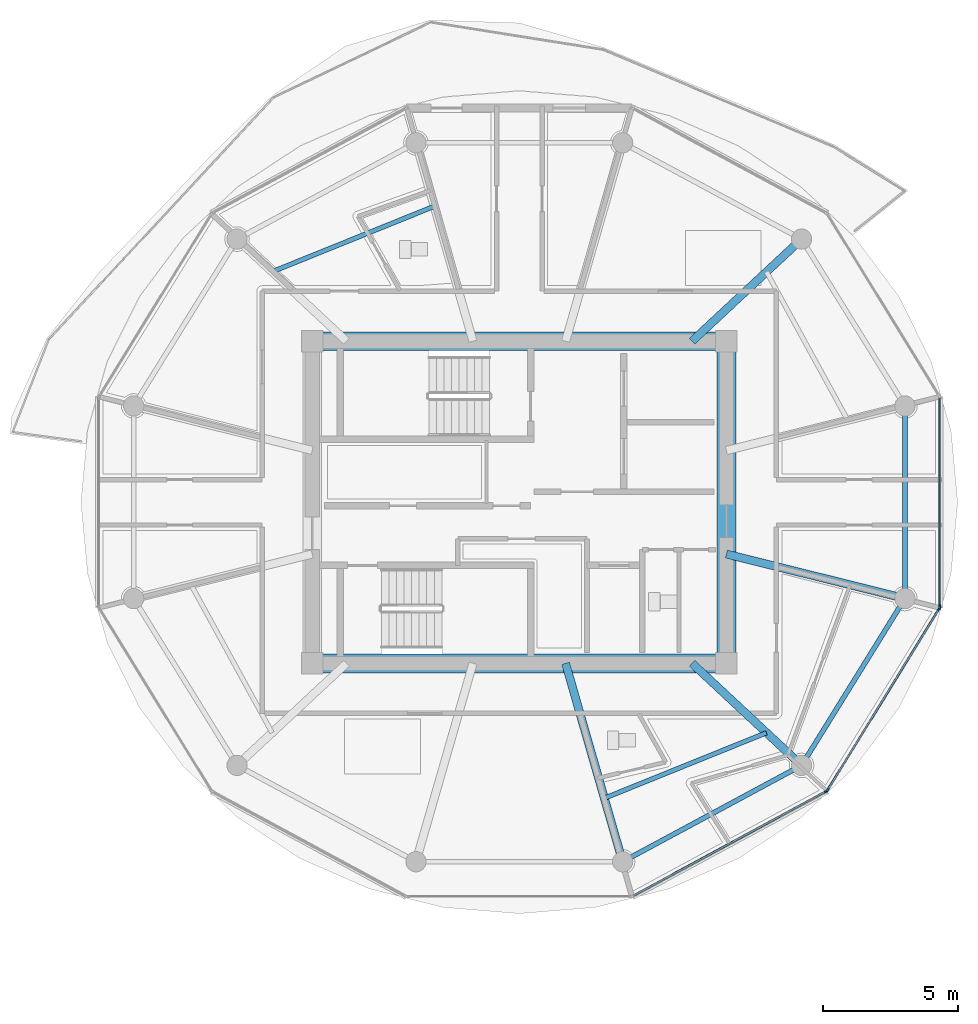
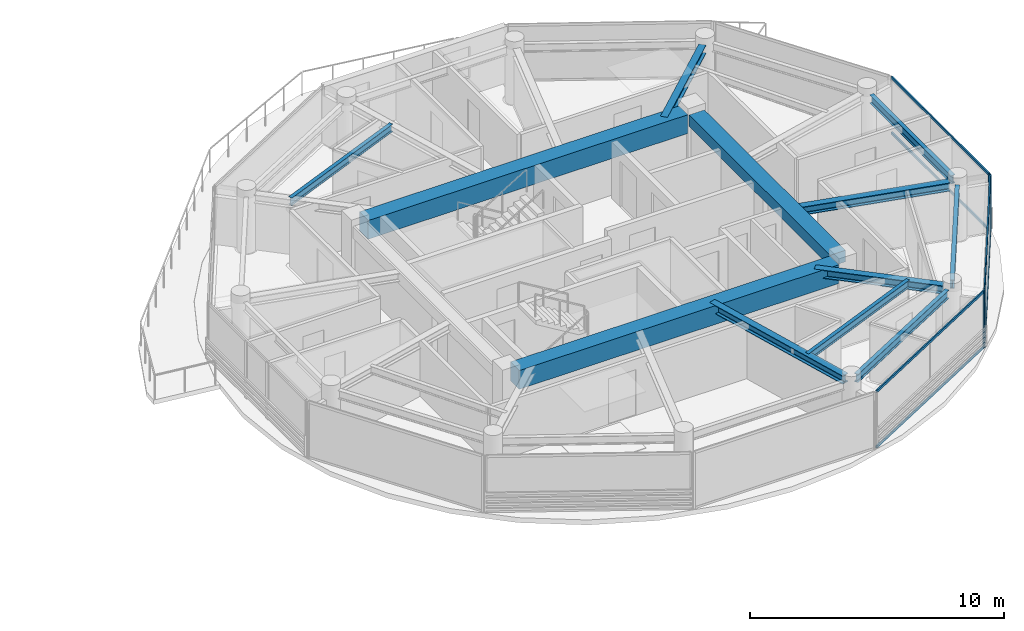
# One storey, part 6 of 21: 12 beams, 10 members, 3 elements without a shape of their own.
"""IFC4 building model written with IfcOpenShell, lengths in metres."""

from ifc_helpers import new_model, si_unit, direction, frame, origin, origin_2d, place, context, subcontext, project, spatial, rectangle, i_section, extrude, source, transform, mapped, material, layer, layer_set, material_profile, profile_set, type_object, type_shapes, element, aggregate, save


model = new_model("IFC4")

# Units and contexts
model_context = context("Model", 3, precision=1e-05, world=origin(), true_north=direction((0.0, 1.0)))
body_context = subcontext(model_context, "Body", "Model", "MODEL_VIEW")
ifc_project = project(units=[si_unit("LENGTHUNIT", "METRE"), si_unit("AREAUNIT", "SQUARE_METRE"), si_unit("VOLUMEUNIT", "CUBIC_METRE"), si_unit("PLANEANGLEUNIT", "RADIAN"), si_unit("MASSUNIT", "GRAM", prefix="KILO")], contexts=[model_context])

# Site, building, storey
site_placement = place(None, origin())
site = spatial("IfcSite", under=ifc_project, at=site_placement, CompositionType="ELEMENT")
building_placement = place(site_placement, origin())
building = spatial("IfcBuilding", under=site, at=building_placement, Name="Norrkilde Senior Care Towers", CompositionType="ELEMENT")
storey_placement = place(building_placement, frame((0.0, 0.0, 241.35009765625)))
storey = spatial("IfcBuildingStorey", under=building, at=storey_placement, Name="L75", CompositionType="ELEMENT", Elevation=241.35009765625)

# Beams
ifc_material_1 = material(Name="Concrete C60/75", Category="concrete")
ifc_material_profile_1 = material_profile(ifc_material_1, rectangle(XDim=0.699951171875, YDim=0.89990234375, at=origin_2d()), Name="RC BM 700x900")
ifc_profile_set_1 = profile_set([ifc_material_profile_1], Name="Concrete C60/75")
beam_type_1 = type_object("IfcBeamType", Name="Core Coupling Girder 700x900", PredefinedType="USERDEFINED", material=ifc_profile_set_1)
shared_shape_1 = source(origin(), body_context, "Body", "SweptSolid", [
    extrude(rectangle(XDim=0.699951171875, YDim=0.89990234375, at=origin_2d()), origin(), (0.0, 0.0, 1.0), 14.5400390625),
])
type_shapes(beam_type_1, [shared_shape_1])
for number, where, z_axis, x_axis, name in (
    (1, (20.72998046875, 5.949951171875, 2.27978515625), (1.0, 0.0, 0.0), (0.0, 1.0, 0.0), "L75 Core E N Coupling Girder"),
    (2, (20.72998046875, -5.949951171875, 2.27978515625), (1.0, 0.0, 0.0), (0.0, 1.0, 0.0), "L75 Core E S Coupling Girder"),
):
    element("IfcBeam", number, at=place(storey_placement, frame(where, z_axis=z_axis, x_axis=x_axis)), inside=storey, type_object=beam_type_1, Name=name, ObjectType="GIRDER", PredefinedType="USERDEFINED", context=body_context, shape_type="MappedRepresentation", body=[
        mapped(shared_shape_1, transform((0.0, 0.0, 0.0), x_axis=(1.0, 0.0, 0.0), y_axis=(0.0, 1.0, 0.0), z_axis=(0.0, 0.0, 1.0), scale=1.0)),
    ])
ifc_material_profile_2 = material_profile(ifc_material_1, rectangle(XDim=0.699951171875, YDim=0.550048828125, at=origin_2d()), Name="RC BM 700x550")
ifc_profile_set_2 = profile_set([ifc_material_profile_2], Name="Concrete C60/75")
beam_type_2 = type_object("IfcBeamType", Name="Core Portal Coupling Beam 700x550", PredefinedType="USERDEFINED", material=ifc_profile_set_2)
shared_shape_2 = source(origin(), body_context, "Body", "SweptSolid", [
    extrude(rectangle(XDim=0.699951171875, YDim=0.550048828125, at=origin_2d()), origin(), (0.0, 0.0, 1.0), 11.14013671875),
])
type_shapes(beam_type_2, [shared_shape_2])
beam_1_placement = place(storey_placement, frame((35.64990234375, -5.570068359375, 2.454833984375), z_axis=(0.0, 1.0, 0.0), x_axis=(-1.0, 0.0, 0.0)))
element("IfcBeam", 3, at=beam_1_placement, inside=storey, type_object=beam_type_2, Name="L75 Core E E Coupling Girder", ObjectType="GIRDER", PredefinedType="USERDEFINED", context=body_context, shape_type="MappedRepresentation", body=[
    mapped(shared_shape_2, transform((0.0, 0.0, 0.0), x_axis=(1.0, 0.0, 0.0), y_axis=(0.0, 1.0, 0.0), z_axis=(0.0, 0.0, 1.0), scale=1.0)),
])
ifc_material_2 = material(Name="Steel S355", Category="steel")
ifc_material_profile_3 = material_profile(ifc_material_2, i_section(OverallWidth=0.179931640625, OverallDepth=0.39990234375, WebThickness=0.008544921875, FlangeThickness=0.013427734375, FilletRadius=0.02099609375, at=origin_2d()), Name="IPE 400")
ifc_profile_set_3 = profile_set([ifc_material_profile_3], Name="Steel S355")
beam_type_3 = type_object("IfcBeamType", Name="Perimeter Ring Spandrel Z4 IPE400", PredefinedType="SPANDREL", material=ifc_profile_set_3)
shared_shape_3 = source(origin(), body_context, "Body", "SweptSolid", [
    extrude(i_section(OverallWidth=0.179931640625, OverallDepth=0.39990234375, WebThickness=0.008544921875, FlangeThickness=0.013427734375, FilletRadius=0.02099609375, at=origin_2d()), origin(), (0.0, 0.0, 1.0), 6.58056640625),
])
beam_2_placement = place(storey_placement, frame((38.606201171875, -9.43798828125, 2.52978515625), z_axis=(0.526529583789, 0.850156807533, 0.0), x_axis=(-0.850156807533, 0.526529583789, 0.0)))
element("IfcBeam", 4, at=beam_2_placement, inside=storey, type_object=beam_type_3, Name="L75 Drum E Perimeter Spandrel 11", PredefinedType="SPANDREL", context=body_context, shape_type="MappedRepresentation", body=[
    mapped(shared_shape_3, transform((0.0, 0.0, 0.0), x_axis=(1.0, 0.0, 0.0), y_axis=(0.0, 1.0, 0.0), z_axis=(0.0, 0.0, 1.0), scale=1.0)),
])
ifc_material_profile_4 = material_profile(ifc_material_2, i_section(OverallWidth=0.300048828125, OverallDepth=0.39990234375, WebThickness=0.013427734375, FlangeThickness=0.02392578125, FilletRadius=0.027099609375, at=origin_2d()), Name="HEB 400")
ifc_profile_set_4 = profile_set([ifc_material_profile_4], Name="Steel S355")
beam_type_4 = type_object("IfcBeamType", Name="Radial Floor Beam Z4 HEB400", PredefinedType="BEAM", material=ifc_profile_set_4)
shared_shape_4 = source(origin(), body_context, "Body", "SweptSolid", [
    extrude(i_section(OverallWidth=0.300048828125, OverallDepth=0.39990234375, WebThickness=0.013427734375, FlangeThickness=0.02392578125, FilletRadius=0.027099609375, at=origin_2d()), origin(), (0.0, 0.0, 1.0), 6.465087890625),
])
beam_3_placement = place(storey_placement, frame((35.64990234375, -1.910888671875, 2.52978515625), z_axis=(0.970195788563, -0.242322371758, 0.0), x_axis=(0.242322371758, 0.970195788563, 0.0)))
element("IfcBeam", 5, at=beam_3_placement, inside=storey, type_object=beam_type_4, Name="L75 Drum E Radial Floor Beam 12", PredefinedType="BEAM", context=body_context, shape_type="MappedRepresentation", body=[
    mapped(shared_shape_4, transform((0.0, 0.0, 0.0), x_axis=(1.0, 0.0, 0.0), y_axis=(0.0, 1.0, 0.0), z_axis=(0.0, 0.0, 1.0), scale=1.0)),
])
shared_shape_5 = source(origin(), body_context, "Body", "SweptSolid", [
    extrude(i_section(OverallWidth=0.179931640625, OverallDepth=0.39990234375, WebThickness=0.008544921875, FlangeThickness=0.013427734375, FilletRadius=0.02099609375, at=origin_2d()), origin(), (0.0, 0.0, 1.0), 6.839111328125),
])
beam_4_placement = place(storey_placement, frame((32.112548828125, -13.122802734375, 2.52978515625), z_axis=(0.880563930732, 0.473927382511, 0.0), x_axis=(-0.473927382511, 0.880563930732, 0.0)))
element("IfcBeam", 6, at=beam_4_placement, inside=storey, type_object=beam_type_3, Name="L75 Drum E Perimeter Spandrel 10", PredefinedType="SPANDREL", context=body_context, shape_type="MappedRepresentation", body=[
    mapped(shared_shape_5, transform((0.0, 0.0, 0.0), x_axis=(1.0, 0.0, 0.0), y_axis=(0.0, 1.0, 0.0), z_axis=(0.0, 0.0, 1.0), scale=1.0)),
])
shared_shape_6 = source(origin(), body_context, "Body", "SweptSolid", [
    extrude(i_section(OverallWidth=0.300048828125, OverallDepth=0.39990234375, WebThickness=0.013427734375, FlangeThickness=0.02392578125, FilletRadius=0.027099609375, at=origin_2d()), origin(), (0.0, 0.0, 1.0), 5.197998046875),
])
for number, where, z_axis, x_axis, name in (
    (7, (34.3828125, 5.949951171875, 2.52978515625), (0.731448749334, 0.681896419625, 0.0), (-0.681896419625, 0.731448749334, 0.0), "L75 Drum E Radial Floor Beam 02"),
    (8, (34.3828125, -5.949951171875, 2.52978515625), (0.731448749334, -0.681896419625, 0.0), (0.681896419625, 0.731448749334, 0.0), "L75 Drum E Radial Floor Beam 11"),
):
    element("IfcBeam", number, at=place(storey_placement, frame(where, z_axis=z_axis, x_axis=x_axis)), inside=storey, type_object=beam_type_4, Name=name, PredefinedType="BEAM", context=body_context, shape_type="MappedRepresentation", body=[
        mapped(shared_shape_6, transform((0.0, 0.0, 0.0), x_axis=(1.0, 0.0, 0.0), y_axis=(0.0, 1.0, 0.0), z_axis=(0.0, 0.0, 1.0), scale=1.0)),
    ])
shared_shape_7 = source(origin(), body_context, "Body", "SweptSolid", [
    extrude(i_section(OverallWidth=0.300048828125, OverallDepth=0.39990234375, WebThickness=0.013427734375, FlangeThickness=0.02392578125, FilletRadius=0.027099609375, at=origin_2d()), origin(), (0.0, 0.0, 1.0), 7.29345703125),
])
type_shapes(beam_type_4, [shared_shape_4, shared_shape_6, shared_shape_7])
beam_5_placement = place(storey_placement, frame((29.710205078125, -5.949951171875, 2.52978515625), z_axis=(0.276263751906, -0.961081858836, 0.0), x_axis=(0.961081858836, 0.276263751906, 0.0)))
element("IfcBeam", 9, at=beam_5_placement, inside=storey, type_object=beam_type_4, Name="L75 Drum E Radial Floor Beam 10", PredefinedType="BEAM", context=body_context, shape_type="MappedRepresentation", body=[
    mapped(shared_shape_7, transform((0.0, 0.0, 0.0), x_axis=(1.0, 0.0, 0.0), y_axis=(0.0, 1.0, 0.0), z_axis=(0.0, 0.0, 1.0), scale=1.0)),
])
shared_shape_8 = source(origin(), body_context, "Body", "SweptSolid", [
    extrude(i_section(OverallWidth=0.179931640625, OverallDepth=0.39990234375, WebThickness=0.008544921875, FlangeThickness=0.013427734375, FilletRadius=0.02099609375, at=origin_2d()), origin(), (0.0, 0.0, 1.0), 6.44775390625),
])
type_shapes(beam_type_3, [shared_shape_3, shared_shape_5, shared_shape_8])
beam_6_placement = place(storey_placement, frame((42.247314453125, -3.223876953125, 2.52978515625), z_axis=(0.0, 1.0, 0.0), x_axis=(-1.0, 0.0, 0.0)))
element("IfcBeam", 10, at=beam_6_placement, inside=storey, type_object=beam_type_3, Name="L75 Drum E Perimeter Spandrel 12", PredefinedType="SPANDREL", context=body_context, shape_type="MappedRepresentation", body=[
    mapped(shared_shape_8, transform((0.0, 0.0, 0.0), x_axis=(1.0, 0.0, 0.0), y_axis=(0.0, 1.0, 0.0), z_axis=(0.0, 0.0, 1.0), scale=1.0)),
])
ifc_material_profile_5 = material_profile(ifc_material_2, i_section(OverallWidth=0.169921875, OverallDepth=0.360107421875, WebThickness=0.008056640625, FlangeThickness=0.0126953125, FilletRadius=0.01806640625, at=origin_2d()), Name="IPE 360")
ifc_profile_set_5 = profile_set([ifc_material_profile_5], Name="Steel S355")
beam_type_5 = type_object("IfcBeamType", Name="Secondary Floor Joist IPE360", PredefinedType="JOIST", material=ifc_profile_set_5)
shared_shape_9 = source(origin(), body_context, "Body", "SweptSolid", [
    extrude(i_section(OverallWidth=0.169921875, OverallDepth=0.360107421875, WebThickness=0.008056640625, FlangeThickness=0.0126953125, FilletRadius=0.01806640625, at=origin_2d()), origin(), (0.0, 0.0, 1.0), 6.461669921875),
])
type_shapes(beam_type_5, [shared_shape_9])
for number, where, z_axis, x_axis, name in (
    (11, (24.856689453125, 10.935302734375, 2.5498046875), (-0.927225942298, -0.374502405772, 0.0), (0.374502405772, -0.927225942298, 0.0), "L75 Drum E Secondary Floor Joist 2"),
    (12, (31.143310546875, -10.935302734375, 2.5498046875), (0.927225942298, 0.374502405772, 0.0), (-0.374502405772, 0.927225942298, 0.0), "L75 Drum E Secondary Floor Joist 4"),
):
    element("IfcBeam", number, at=place(storey_placement, frame(where, z_axis=z_axis, x_axis=x_axis)), inside=storey, type_object=beam_type_5, Name=name, PredefinedType="JOIST", context=body_context, shape_type="MappedRepresentation", body=[
        mapped(shared_shape_9, transform((0.0, 0.0, 0.0), x_axis=(1.0, 0.0, 0.0), y_axis=(0.0, 1.0, 0.0), z_axis=(0.0, 0.0, 1.0), scale=1.0)),
    ])

# Curtain wall, member
ifc_material_3 = material(Name="Triple Low-E Insulated Glazing", Category="glass")
ifc_layer = layer(ifc_material_3, 0.18505859375)
ifc_layer_set = layer_set([ifc_layer], Name="Triple Low-E Insulated Glazing")
curtain_wall_type = type_object("IfcCurtainWallType", Name="CW6 Zone 4 Crown Pavilion Curtain Wall", PredefinedType="NOTDEFINED", material=ifc_layer_set)
curtain_wall_1_placement = place(storey_placement, origin())
curtain_wall_1 = element("IfcCurtainWall", 13, at=curtain_wall_1_placement, inside=storey, type_object=curtain_wall_type, Name="L75 Drum E Curtain Wall 09", PredefinedType="NOTDEFINED")
ifc_material_4 = material(Name="Anodised Aluminium", Category="aluminium")
ifc_material_profile_6 = material_profile(ifc_material_4, rectangle(XDim=0.06494140625, YDim=0.14990234375, at=origin_2d()), Name="ALU MULL 65x150")
ifc_profile_set_6 = profile_set([ifc_material_profile_6], Name="Anodised Aluminium")
member_type_1 = type_object("IfcMemberType", Name="Curtain Wall Mullion Z3-Z4 65x150", PredefinedType="MULLION", material=ifc_profile_set_6)
shared_shape_10 = source(origin(), body_context, "Body", "SweptSolid", [
    extrude(rectangle(XDim=0.06494140625, YDim=0.14990234375, at=origin_2d()), origin(), (0.0, 0.0, 1.0), 2.72998046875),
])
type_shapes(member_type_1, [shared_shape_10])
member_1_placement = place(storey_placement, frame((39.341796875, -10.6787109375, 0.0), z_axis=(0.0, 0.0, 1.0), x_axis=(0.476132676136, -0.879373455772, 0.0)))
member_1 = element("IfcMember", 14, at=member_1_placement, type_object=member_type_1, Name="CW-6 mullion 1", PredefinedType="MULLION", context=body_context, shape_type="MappedRepresentation", body=[
    mapped(shared_shape_10, transform((0.0, 0.0, 0.0), x_axis=(1.0, 0.0, 0.0), y_axis=(0.0, 1.0, 0.0), z_axis=(0.0, 0.0, 1.0), scale=1.0)),
])

# Curtain wall, members
curtain_wall_2_placement = place(storey_placement, origin())
curtain_wall_2 = element("IfcCurtainWall", 15, at=curtain_wall_2_placement, inside=storey, type_object=curtain_wall_type, Name="L75 Drum E Curtain Wall 10", PredefinedType="NOTDEFINED")
member_2_placement = place(storey_placement, frame((43.51513671875, -3.9306640625, 0.0), z_axis=(0.0, 0.0, 1.0), x_axis=(0.851562727283, -0.524252726748, 0.0)))
member_2 = element("IfcMember", 16, at=member_2_placement, type_object=member_type_1, Name="CW-6 mullion 1", PredefinedType="MULLION", context=body_context, shape_type="MappedRepresentation", body=[
    mapped(shared_shape_10, transform((0.0, 0.0, 0.0), x_axis=(1.0, 0.0, 0.0), y_axis=(0.0, 1.0, 0.0), z_axis=(0.0, 0.0, 1.0), scale=1.0)),
])
member_3_placement = place(storey_placement, frame((39.38720703125, -10.635498046875, 0.0), z_axis=(0.0, 0.0, 1.0), x_axis=(0.851562727283, -0.524252726748, 0.0)))
member_3 = element("IfcMember", 17, at=member_3_placement, type_object=member_type_1, Name="CW-6 mullion 2", PredefinedType="MULLION", context=body_context, shape_type="MappedRepresentation", body=[
    mapped(shared_shape_10, transform((0.0, 0.0, 0.0), x_axis=(1.0, 0.0, 0.0), y_axis=(0.0, 1.0, 0.0), z_axis=(0.0, 0.0, 1.0), scale=1.0)),
])

# Curtain wall, member
curtain_wall_3_placement = place(storey_placement, origin())
curtain_wall_3 = element("IfcCurtainWall", 18, at=curtain_wall_3_placement, inside=storey, type_object=curtain_wall_type, Name="L75 Drum E Curtain Wall 11", PredefinedType="NOTDEFINED")
member_4_placement = place(storey_placement, frame((43.531982421875, -3.87060546875, 0.0), z_axis=(0.0, 0.0, 1.0), x_axis=(1.0, 0.0, 0.0)))
member_4 = element("IfcMember", 19, at=member_4_placement, type_object=member_type_1, Name="CW-6 mullion 2", PredefinedType="MULLION", context=body_context, shape_type="MappedRepresentation", body=[
    mapped(shared_shape_10, transform((0.0, 0.0, 0.0), x_axis=(1.0, 0.0, 0.0), y_axis=(0.0, 1.0, 0.0), z_axis=(0.0, 0.0, 1.0), scale=1.0)),
])

# Member
ifc_material_profile_7 = material_profile(ifc_material_4, rectangle(XDim=0.06005859375, YDim=0.1201171875, at=origin_2d()), Name="ALU TRAN 60x120")
ifc_profile_set_7 = profile_set([ifc_material_profile_7], Name="Anodised Aluminium")
member_type_2 = type_object("IfcMemberType", Name="Curtain Wall Transom Typical 60x120", PredefinedType="USERDEFINED", material=ifc_profile_set_7)
shared_shape_11 = source(origin(), body_context, "Body", "SweptSolid", [
    extrude(rectangle(XDim=0.06005859375, YDim=0.1201171875, at=origin_2d()), origin(), (0.0, 0.0, 1.0), 7.808837890625),
])
member_5_placement = place(storey_placement, frame((43.498046875, -3.958251953125, 0.02978515625), z_axis=(-0.524250924101, -0.851563837055, 0.0), x_axis=(0.851563837055, -0.524250924101, 0.0)))
member_5 = element("IfcMember", 20, at=member_5_placement, type_object=member_type_2, Name="CW-6 transom 1.1", ObjectType="TRANSOM", PredefinedType="USERDEFINED", context=body_context, shape_type="MappedRepresentation", body=[
    mapped(shared_shape_11, transform((0.0, 0.0, 0.0), x_axis=(1.0, 0.0, 0.0), y_axis=(0.0, 1.0, 0.0), z_axis=(0.0, 0.0, 1.0), scale=1.0)),
])

member_6_placement = place(storey_placement, frame((43.498046875, -3.958251953125, 2.699951171875), z_axis=(-0.524250924101, -0.851563837055, 0.0), x_axis=(0.851563837055, -0.524250924101, 0.0)))
member_6 = element("IfcMember", 21, at=member_6_placement, type_object=member_type_2, Name="CW-6 transom 1.2", ObjectType="TRANSOM", PredefinedType="USERDEFINED", context=body_context, shape_type="MappedRepresentation", body=[
    mapped(shared_shape_11, transform((0.0, 0.0, 0.0), x_axis=(1.0, 0.0, 0.0), y_axis=(0.0, 1.0, 0.0), z_axis=(0.0, 0.0, 1.0), scale=1.0)),
])

aggregate(curtain_wall_2, [member_2, member_3, member_5, member_6])

shared_shape_12 = source(origin(), body_context, "Body", "SweptSolid", [
    extrude(rectangle(XDim=0.06005859375, YDim=0.1201171875, at=origin_2d()), origin(), (0.0, 0.0, 1.0), 8.0673828125),
])
member_7_placement = place(storey_placement, frame((39.313232421875, -10.694091796875, 0.02978515625), z_axis=(-0.87937750072, -0.476125205411, 0.0), x_axis=(0.476125205411, -0.87937750072, 0.0)))
member_7 = element("IfcMember", 22, at=member_7_placement, type_object=member_type_2, Name="CW-6 transom 1.1", ObjectType="TRANSOM", PredefinedType="USERDEFINED", context=body_context, shape_type="MappedRepresentation", body=[
    mapped(shared_shape_12, transform((0.0, 0.0, 0.0), x_axis=(1.0, 0.0, 0.0), y_axis=(0.0, 1.0, 0.0), z_axis=(0.0, 0.0, 1.0), scale=1.0)),
])

member_8_placement = place(storey_placement, frame((39.313232421875, -10.694091796875, 2.699951171875), z_axis=(-0.87937750072, -0.476125205411, 0.0), x_axis=(0.476125205411, -0.87937750072, 0.0)))
member_8 = element("IfcMember", 23, at=member_8_placement, type_object=member_type_2, Name="CW-6 transom 1.2", ObjectType="TRANSOM", PredefinedType="USERDEFINED", context=body_context, shape_type="MappedRepresentation", body=[
    mapped(shared_shape_12, transform((0.0, 0.0, 0.0), x_axis=(1.0, 0.0, 0.0), y_axis=(0.0, 1.0, 0.0), z_axis=(0.0, 0.0, 1.0), scale=1.0)),
])

aggregate(curtain_wall_1, [member_1, member_7, member_8])

shared_shape_13 = source(origin(), body_context, "Body", "SweptSolid", [
    extrude(rectangle(XDim=0.06005859375, YDim=0.1201171875, at=origin_2d()), origin(), (0.0, 0.0, 1.0), 7.67578125),
])
type_shapes(member_type_2, [shared_shape_11, shared_shape_12, shared_shape_13])
member_9_placement = place(storey_placement, frame((43.531982421875, 3.837890625, 0.02978515625), z_axis=(0.0, -1.0, 0.0), x_axis=(1.0, 0.0, 0.0)))
member_9 = element("IfcMember", 24, at=member_9_placement, type_object=member_type_2, Name="CW-6 transom 1.1", ObjectType="TRANSOM", PredefinedType="USERDEFINED", context=body_context, shape_type="MappedRepresentation", body=[
    mapped(shared_shape_13, transform((0.0, 0.0, 0.0), x_axis=(1.0, 0.0, 0.0), y_axis=(0.0, 1.0, 0.0), z_axis=(0.0, 0.0, 1.0), scale=1.0)),
])

member_10_placement = place(storey_placement, frame((43.531982421875, 3.837890625, 2.699951171875), z_axis=(0.0, -1.0, 0.0), x_axis=(1.0, 0.0, 0.0)))
member_10 = element("IfcMember", 25, at=member_10_placement, type_object=member_type_2, Name="CW-6 transom 1.2", ObjectType="TRANSOM", PredefinedType="USERDEFINED", context=body_context, shape_type="MappedRepresentation", body=[
    mapped(shared_shape_13, transform((0.0, 0.0, 0.0), x_axis=(1.0, 0.0, 0.0), y_axis=(0.0, 1.0, 0.0), z_axis=(0.0, 0.0, 1.0), scale=1.0)),
])

aggregate(curtain_wall_3, [member_4, member_9, member_10])

save(model, "model.ifc")
